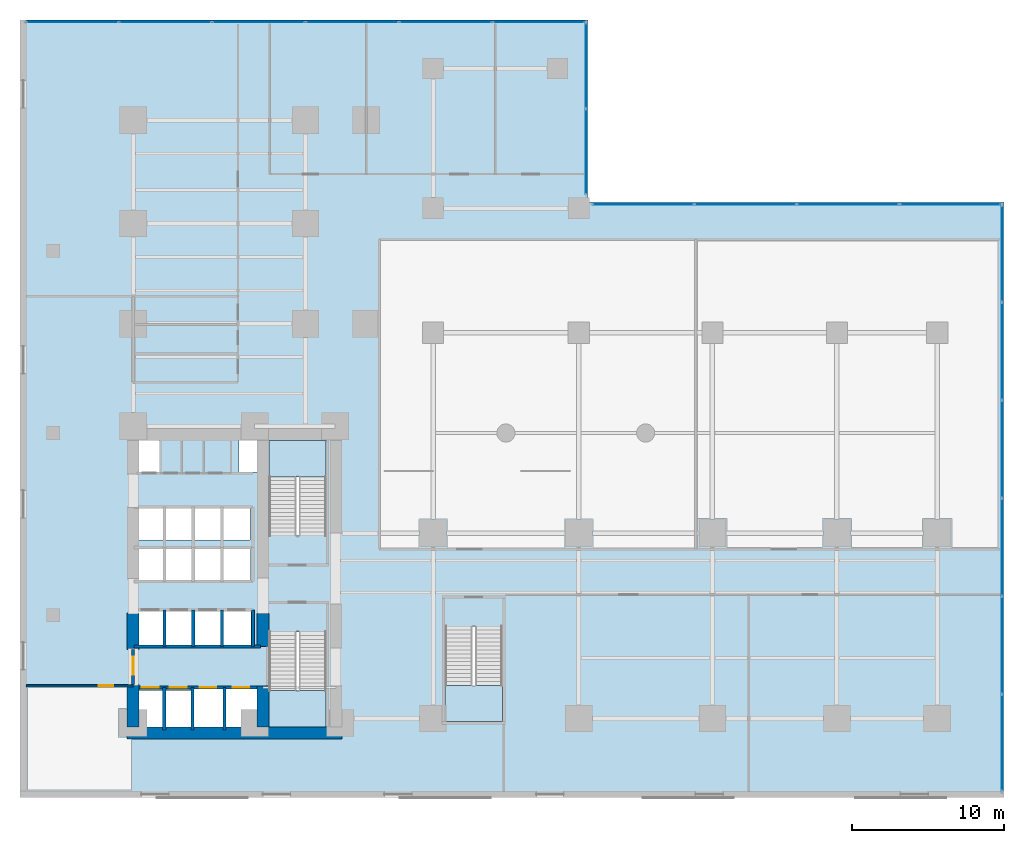
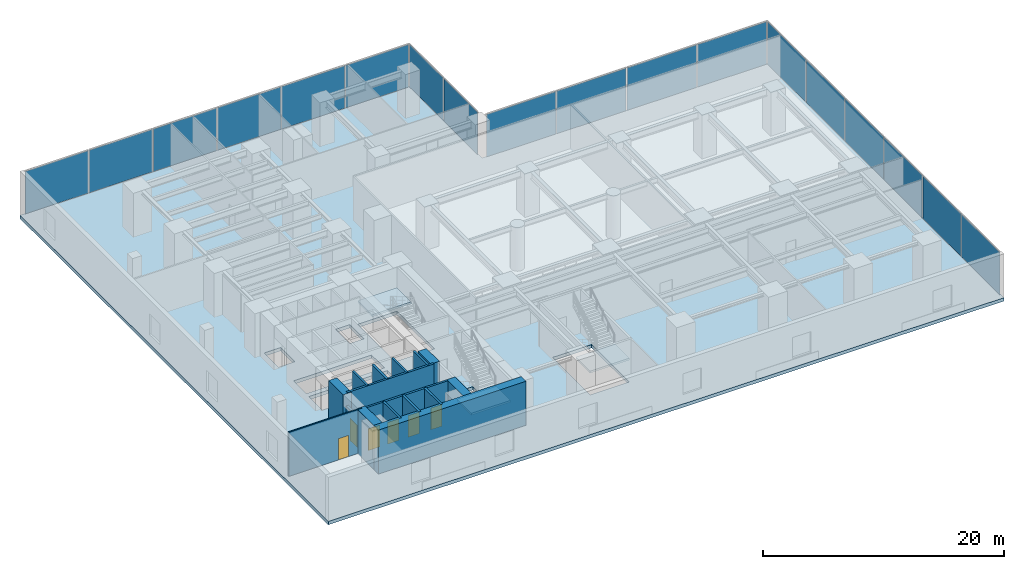
# One storey, part 11 of 16: 18 plates, 16 walls, 6 doors, 4 slabs, 6 openings, 7 elements without a shape of their own.
"""IFC4 building model written with IfcOpenShell, lengths in metres."""

import ifcopenshell
import ifcopenshell.guid

model = None  # the IFC model being written
_history = None  # IfcOwnerHistory: only IFC2X3 demands one
_inside = {}  # id of a spatial element -> (the spatial element, [elements in it])
_under = {}  # id of a project, library or spatial element -> (it, [spatial elements below it])
_declared = {}  # id of a project -> (the project, [libraries it declares])
_typed = {}  # id of a type object -> (the type object, [elements of that type])
_made_of = {}  # id of a material, layer set ... -> (it, [elements and type objects made of it])


def new_model(schema):
    """Start an empty IFC model of exactly this schema.

    Asked for "IFC4X3", IfcOpenShell would pick the latest addendum, in which some entities
    have other attributes; the version numbers below select the first issue.
    IFC2X3 requires an IfcOwnerHistory on every rooted entity: one is made here for all.
    """
    global model, _history
    if schema == "IFC4X3":
        model = ifcopenshell.file(schema_version=(4, 3, 0, 0))
    else:
        model = ifcopenshell.file(schema=schema)
    _inside.clear()
    _under.clear()
    _declared.clear()
    _typed.clear()
    _made_of.clear()
    _history = None
    if model.schema == "IFC2X3":
        org = make("IfcOrganization", Name="unknown")
        user = make(
            "IfcPersonAndOrganization",
            ThePerson=make("IfcPerson", FamilyName="unknown"),
            TheOrganization=org,
        )
        app = make(
            "IfcApplication",
            ApplicationDeveloper=org,
            Version="unknown",
            ApplicationFullName="unknown",
            ApplicationIdentifier="unknown",
        )
        _history = make(
            "IfcOwnerHistory",
            OwningUser=user,
            OwningApplication=app,
            ChangeAction="ADDED",
            CreationDate=0,
        )
    return model


def make(cls, **values):
    """One entity of the class cls with the attributes given. An attribute that is None is left unset."""
    return model.create_entity(
        cls, **{name: value for name, value in values.items() if value is not None}
    )


def rooted(cls, **values):
    """An entity with a GlobalId (a new one), such as an element, a storey or a relation."""
    return make(cls, GlobalId=ifcopenshell.guid.new(), OwnerHistory=_history, **values)


def si_unit(unit_type, name, prefix=None):
    """IfcSIUnit, for example si_unit("LENGTHUNIT", "METRE", prefix="MILLI")."""
    return make("IfcSIUnit", UnitType=unit_type, Prefix=prefix, Name=name)


def assignment(units):
    """IfcUnitAssignment: the units of a project."""
    return None if units is None else make("IfcUnitAssignment", Units=units)


def point(xyz):
    """IfcCartesianPoint."""
    return None if xyz is None else make("IfcCartesianPoint", Coordinates=xyz)


def direction(xyz):
    """IfcDirection."""
    return None if xyz is None else make("IfcDirection", DirectionRatios=xyz)


def frame(location, z_axis=None, x_axis=None):
    """IfcAxis2Placement3D, a coordinate frame: its origin and axes. An axis left out is left unset."""
    return make(
        "IfcAxis2Placement3D",
        Location=point(location),
        Axis=direction(z_axis),
        RefDirection=direction(x_axis),
    )


def frame_2d(location, x_axis=None):
    """IfcAxis2Placement2D, a coordinate frame in the plane: its origin and x axis."""
    return make(
        "IfcAxis2Placement2D", Location=point(location), RefDirection=direction(x_axis)
    )


def origin():
    """The frame at (0, 0, 0) with its axes left unset."""
    return frame((0.0, 0.0, 0.0))


def origin_with_axes():
    """The frame at (0, 0, 0) with the z axis (0, 0, 1) and the x axis (1, 0, 0) written out."""
    return frame((0.0, 0.0, 0.0), z_axis=(0.0, 0.0, 1.0), x_axis=(1.0, 0.0, 0.0))


def origin_2d():
    """The frame at (0, 0) in the plane with its x axis left unset."""
    return frame_2d((0.0, 0.0))


def place(relative_to, where):
    """IfcLocalPlacement: puts the frame where relative to a parent placement (None: the world)."""
    return make(
        "IfcLocalPlacement", PlacementRelTo=relative_to, RelativePlacement=where
    )


def context(
    kind, dimensions, precision=None, world=None, true_north=None, identifier=None
):
    """IfcGeometricRepresentationContext, for example the 3D "Model" context."""
    return make(
        "IfcGeometricRepresentationContext",
        ContextIdentifier=identifier,
        ContextType=kind,
        CoordinateSpaceDimension=dimensions,
        Precision=precision,
        WorldCoordinateSystem=world,
        TrueNorth=true_north,
    )


def subcontext(parent, identifier, kind, view, scale=None):
    """IfcGeometricRepresentationSubContext, for example "Body" below "Model"."""
    return make(
        "IfcGeometricRepresentationSubContext",
        ContextIdentifier=identifier,
        ContextType=kind,
        ParentContext=parent,
        TargetScale=scale,
        TargetView=view,
    )


def project(units=None, contexts=None):
    """IfcProject with its units and contexts."""
    return rooted(
        "IfcProject",
        Name="project",
        RepresentationContexts=contexts,
        UnitsInContext=assignment(units),
    )


def spatial(cls, under=None, at=None, **own):
    """A site, building, storey or space (cls), placed at a placement, below another one or the project."""
    s = rooted(cls, ObjectPlacement=at, **own)
    if under is not None:
        _under.setdefault(under.id(), (under, []))[1].append(s)
    return s


def polyline(points):
    """IfcPolyline through the points."""
    return make("IfcPolyline", Points=[point(p) for p in points])


def profile(cls, at=None, kind="AREA", **sizes):
    """A parametric profile (cls). Its sizes go by their IFC names, for example OverallWidth=200.0."""
    return make(cls, ProfileType=kind, Position=at, **sizes)


def rectangle(**sizes):
    """IfcRectangleProfileDef."""
    return profile("IfcRectangleProfileDef", **sizes)


def outline(outer, holes=None, kind="AREA"):
    """IfcArbitraryClosedProfileDef: a profile drawn as a closed curve; with holes, ...WithVoids."""
    if holes is None:
        return make("IfcArbitraryClosedProfileDef", ProfileType=kind, OuterCurve=outer)
    return make(
        "IfcArbitraryProfileDefWithVoids",
        ProfileType=kind,
        OuterCurve=outer,
        InnerCurves=holes,
    )


def extrude(swept, where, along, depth):
    """IfcExtrudedAreaSolid: the profile swept, set in the frame where, extruded along a direction by depth."""
    return make(
        "IfcExtrudedAreaSolid",
        SweptArea=swept,
        Position=where,
        ExtrudedDirection=direction(along),
        Depth=depth,
    )


def shape(context_of_items, identifier, shape_type, items):
    """IfcShapeRepresentation: the items that make up one representation, for example the "Body"."""
    return make(
        "IfcShapeRepresentation",
        ContextOfItems=context_of_items,
        RepresentationIdentifier=identifier,
        RepresentationType=shape_type,
        Items=items,
    )


def source(mapping_origin, context_of_items, identifier, shape_type, items):
    """IfcRepresentationMap: a shape defined once, which mapped items show again and again."""
    return make(
        "IfcRepresentationMap",
        MappingOrigin=mapping_origin,
        MappedRepresentation=shape(context_of_items, identifier, shape_type, items),
    )


def transform(
    local_origin,
    x_axis=None,
    y_axis=None,
    z_axis=None,
    scale=None,
    scale2=None,
    scale3=None,
    uniform=True,
):
    """IfcCartesianTransformationOperator3D, or its non-uniform kind. x_axis, y_axis, z_axis: its Axis1, 2, 3."""
    if uniform:
        return make(
            "IfcCartesianTransformationOperator3D",
            Axis1=direction(x_axis),
            Axis2=direction(y_axis),
            LocalOrigin=point(local_origin),
            Scale=scale,
            Axis3=direction(z_axis),
        )
    return make(
        "IfcCartesianTransformationOperator3DnonUniform",
        Axis1=direction(x_axis),
        Axis2=direction(y_axis),
        LocalOrigin=point(local_origin),
        Scale=scale,
        Axis3=direction(z_axis),
        Scale2=scale2,
        Scale3=scale3,
    )


def mapped(mapping_source, mapping_target):
    """IfcMappedItem: shows the shape of a source again, moved by a transform."""
    return make(
        "IfcMappedItem", MappingSource=mapping_source, MappingTarget=mapping_target
    )


def material(Name=None, Category=None):
    """IfcMaterial."""
    return make("IfcMaterial", Name=Name, Category=Category)


def layer(
    of_material, thickness, ventilated=None, Name=None, Category=None, Priority=None
):
    """IfcMaterialLayer: one layer of a wall or slab, of a material (None: an air gap)."""
    return make(
        "IfcMaterialLayer",
        Material=of_material,
        LayerThickness=thickness,
        IsVentilated=ventilated,
        Name=Name,
        Category=Category,
        Priority=Priority,
    )


def layer_set(layers, Name=None):
    """IfcMaterialLayerSet."""
    return make("IfcMaterialLayerSet", MaterialLayers=layers, LayerSetName=Name)


def made_of(thing, what):
    """Note that an element or type object is made of a material, layer set ...; save() writes the relation."""
    if what is not None:
        _made_of.setdefault(what.id(), (what, []))[1].append(thing)
    return thing


def type_object(cls, material=None, **own):
    """A type object (cls), such as IfcWallType, which elements share."""
    return made_of(rooted(cls, **own), material)


def element(
    cls,
    number,
    at=None,
    inside=None,
    cuts=None,
    type_object=None,
    material=None,
    context=None,
    identifier="Body",
    shape_type=None,
    held_by="IfcProductDefinitionShape",
    body=None,
    shapes=None,
    **own,
):
    """One element of the class cls, such as IfcWall. Its Tag is "e" and its number.

    at: its placement. inside: the storey or other place that contains it. cuts: it is an
    opening in that element (IfcRelVoidsElement). A single representation is given by context,
    identifier, shape_type and body (its items); several are given by shapes. held_by: the class
    of the entity that holds the representations. save() writes the other relations.
    """
    e = rooted(cls, Tag="e%d" % number, ObjectPlacement=at, **own)
    if body is not None:
        shapes = [shape(context, identifier, shape_type, body)]
    if shapes is not None:
        e.Representation = make(held_by, Representations=shapes)
    if inside is not None:
        _inside.setdefault(inside.id(), (inside, []))[1].append(e)
    if cuts is not None:
        rooted(
            "IfcRelVoidsElement", RelatingBuildingElement=cuts, RelatedOpeningElement=e
        )
    if type_object is not None:
        _typed.setdefault(type_object.id(), (type_object, []))[1].append(e)
    return made_of(e, material)


def fill(opening, filler):
    """IfcRelFillsElement: the door or window that sits in an opening."""
    return rooted(
        "IfcRelFillsElement",
        RelatingOpeningElement=opening,
        RelatedBuildingElement=filler,
    )


def aggregate(whole, parts):
    """IfcRelAggregates: a whole, such as a stair, and the parts it consists of."""
    return rooted("IfcRelAggregates", RelatingObject=whole, RelatedObjects=parts)


def save(model, path):
    """Write the relations noted so far, then the file.

    IfcRelAggregates (storeys below a building ...), IfcRelContainedInSpatialStructure (elements
    in a storey), IfcRelDefinesByType, IfcRelAssociatesMaterial and IfcRelDeclares: one each for
    every whole, place, type object, material and project.
    """
    for whole, parts in _under.values():
        aggregate(whole, parts)
    for where, things in _inside.values():
        rooted(
            "IfcRelContainedInSpatialStructure",
            RelatedElements=things,
            RelatingStructure=where,
        )
    for kind, things in _typed.values():
        rooted("IfcRelDefinesByType", RelatedObjects=things, RelatingType=kind)
    for what, things in _made_of.values():
        rooted("IfcRelAssociatesMaterial", RelatedObjects=things, RelatingMaterial=what)
    for by, libraries in _declared.values():
        rooted("IfcRelDeclares", RelatingContext=by, RelatedDefinitions=libraries)
    model.write(path)


model = new_model("IFC4")

# Units and contexts
model_context = context("Model", 3, precision=1e-05, world=origin(), true_north=direction((0.0, 1.0)))
body_context = subcontext(model_context, "Body", "Model", "MODEL_VIEW")
ifc_project = project(units=[si_unit("LENGTHUNIT", "METRE"), si_unit("AREAUNIT", "SQUARE_METRE"), si_unit("VOLUMEUNIT", "CUBIC_METRE"), si_unit("PLANEANGLEUNIT", "RADIAN"), si_unit("MASSUNIT", "GRAM", prefix="KILO")], contexts=[model_context])

# Site, building, storey
site_placement = place(None, origin())
site = spatial("IfcSite", under=ifc_project, at=site_placement, CompositionType="ELEMENT")
building_placement = place(site_placement, origin())
building = spatial("IfcBuilding", under=site, at=building_placement, Name="Kolvaren Waterfront Exchange", CompositionType="ELEMENT")
storey_placement = place(building_placement, frame((0.0, 0.0, 10.39990234375)))
storey = spatial("IfcBuildingStorey", under=building, at=storey_placement, Name="L03", CompositionType="ELEMENT", Elevation=10.39990234375)

# Stair, slab
ifc_material_1 = material(Name="Concrete C40/50", Category="concrete")
stair_type = type_object("IfcStairType", Name="ARC-STAIR-4800", PredefinedType="HALF_TURN_STAIR", material=ifc_material_1)
stair_1_placement = place(storey_placement, origin())
stair_1 = element("IfcStair", 1, at=stair_1_placement, inside=storey, type_object=stair_type, Name="L03 Smoke-proof exit stair ST1", PredefinedType="HALF_TURN_STAIR")
ifc_layer_1 = layer(ifc_material_1, 0.199951171875, Name="Concrete C40/50")
ifc_layer_set_1 = layer_set([ifc_layer_1], Name="Concrete C40/50")
slab_type_1 = type_object("IfcSlabType", Name="STR-LANDING-200", PredefinedType="LANDING", material=ifc_layer_set_1)
slab_1_placement = place(storey_placement, frame((0.0, 0.0, 2.2001953125)))
slab_1 = element("IfcSlab", 2, at=slab_1_placement, type_object=slab_type_1, Name="ST1 landing 1", PredefinedType="LANDING", context=body_context, shape_type="SweptSolid", body=[
    extrude(outline(polyline([(16.39990234375, 7.030029296875), (16.39990234375, 4.64990234375), (20.159912109375, 4.64990234375), (20.159912109375, 7.030029296875), (16.39990234375, 7.030029296875)])), origin(), (0.0, 0.0, 1.0), 0.199951171875),
])
aggregate(stair_1, [slab_1])

stair_2_placement = place(storey_placement, origin())
stair_2 = element("IfcStair", 3, at=stair_2_placement, inside=storey, type_object=stair_type, Name="L03 Smoke-proof exit stair ST2", PredefinedType="HALF_TURN_STAIR")
slab_2_placement = place(storey_placement, frame((0.0, 0.0, 2.2001953125)))
slab_2 = element("IfcSlab", 4, at=slab_2_placement, type_object=slab_type_1, Name="ST2 landing 1", PredefinedType="LANDING", context=body_context, shape_type="SweptSolid", body=[
    extrude(outline(polyline([(20.159912109375, 21.1201171875), (20.159912109375, 23.5), (16.39990234375, 23.5), (16.39990234375, 21.1201171875), (20.159912109375, 21.1201171875)])), origin(), (0.0, 0.0, 1.0), 0.199951171875),
])
aggregate(stair_2, [slab_2])

stair_3_placement = place(storey_placement, origin())
stair_3 = element("IfcStair", 5, at=stair_3_placement, inside=storey, type_object=stair_type, Name="L03 Exit stair ST3", PredefinedType="HALF_TURN_STAIR")
slab_3_placement = place(storey_placement, frame((0.0, 0.0, 2.2001953125)))
slab_3 = element("IfcSlab", 6, at=slab_3_placement, type_object=slab_type_1, Name="ST3 landing 1", PredefinedType="LANDING", context=body_context, shape_type="SweptSolid", body=[
    extrude(outline(polyline([(28.0, 7.3798828125), (28.0, 5.0), (31.760009765625, 5.0), (31.760009765625, 7.3798828125), (28.0, 7.3798828125)])), origin(), (0.0, 0.0, 1.0), 0.199951171875),
])
aggregate(stair_3, [slab_3])

# Slab
ifc_layer_2 = layer(ifc_material_1, 0.340087890625, Name="Concrete C40/50")
ifc_layer_set_2 = layer_set([ifc_layer_2], Name="Concrete C40/50")
slab_type_2 = type_object("IfcSlabType", Name="STR-SLAB-340", PredefinedType="FLOOR", material=ifc_layer_set_2)
slab_4_placement = place(storey_placement, frame((0.0, 0.0, -0.33984375)))
element("IfcSlab", 7, at=slab_4_placement, inside=storey, type_object=slab_type_2, Name="L03 structural floor slab", PredefinedType="FLOOR", context=body_context, shape_type="SweptSolid", body=[
    extrude(outline(polyline([(0.0, 0.0), (64.800048828125, 0.0), (64.800048828125, 39.199951171875), (37.39990234375, 39.199951171875), (37.39990234375, 51.199951171875), (0.0, 51.199951171875), (0.0, 0.0)]), holes=[polyline([(11.320068359375, 7.260009765625), (15.610107421875, 7.260009765625), (15.610107421875, 4.5400390625), (7.719970703125, 4.5400390625), (7.719970703125, 7.06005859375), (11.320068359375, 7.06005859375), (11.320068359375, 7.260009765625)]), polyline([(20.159912109375, 4.64990234375), (16.39990234375, 4.64990234375), (16.39990234375, 10.89990234375), (20.159912109375, 10.89990234375), (20.159912109375, 4.64990234375)]), polyline([(31.760009765625, 5.0), (28.0, 5.0), (28.0, 11.25), (31.760009765625, 11.25), (31.760009765625, 5.0)]), polyline([(15.2099609375, 10.0400390625), (7.6201171875, 10.0400390625), (7.6201171875, 12.360107421875), (15.2099609375, 12.360107421875), (15.2099609375, 10.0400390625)]), polyline([(7.64501953125, 16.4599609375), (15.18505859375, 16.4599609375), (15.18505859375, 14.239990234375), (7.64501953125, 14.239990234375), (7.64501953125, 16.4599609375)]), polyline([(15.159912109375, 16.93994140625), (7.669921875, 16.93994140625), (7.669921875, 19.06005859375), (15.159912109375, 19.06005859375), (15.159912109375, 16.93994140625)]), polyline([(16.39990234375, 23.5), (20.159912109375, 23.5), (20.159912109375, 17.25), (16.39990234375, 17.25), (16.39990234375, 23.5)]), polyline([(7.60009765625, 23.780029296875), (9.179931640625, 23.780029296875), (9.179931640625, 21.419921875), (7.60009765625, 21.419921875), (7.60009765625, 23.780029296875)]), polyline([(15.800048828125, 23.780029296875), (15.800048828125, 21.419921875), (14.419921875, 21.419921875), (14.419921875, 23.780029296875), (15.800048828125, 23.780029296875)])]), origin(), (0.0, 0.0, 1.0), 0.33984375),
])

# Curtain wall, plates
ifc_material_2 = material(Name="Anodised bronze aluminium 6063-T6", Category="aluminium")
ifc_layer_3 = layer(ifc_material_2, 0.219970703125, Name="Anodised bronze aluminium 6063-T6")
ifc_layer_set_3 = layer_set([ifc_layer_3], Name="Anodised bronze aluminium 6063-T6")
curtain_wall_type_1 = type_object("IfcCurtainWallType", Name="ARC-CW-SYS4", PredefinedType="USERDEFINED", material=ifc_layer_set_3)
curtain_wall_1_placement = place(storey_placement, origin())
curtain_wall_1 = element("IfcCurtainWall", 8, at=curtain_wall_1_placement, inside=storey, type_object=curtain_wall_type_1, Name="L03 stick curtain wall CW4 (CW-L03-E1)", ObjectType="STICK CURTAIN WALL", PredefinedType="USERDEFINED")
ifc_material_3 = material(Name="High-span laminated vision glass", Category="glass")
ifc_layer_4 = layer(ifc_material_3, 0.035888671875, Name="High-span laminated vision glass")
ifc_layer_set_4 = layer_set([ifc_layer_4], Name="High-span laminated vision glass")
plate_type_1 = type_object("IfcPlateType", Name="ARC-CWP-36", PredefinedType="CURTAIN_PANEL", material=ifc_layer_set_4)
shared_shape_1 = source(origin_with_axes(), body_context, "Body", "SweptSolid", [
    extrude(rectangle(XDim=6.331787109375, YDim=0.035888671875, at=origin_2d()), origin(), (0.0, 0.0, 1.0), 4.31005859375),
])
plate_1_placement = place(storey_placement, frame((64.659912109375, 3.595947265625, 0.074951171875), z_axis=(0.0, 0.0, 1.0), x_axis=(0.0, 1.0, 0.0)))
plate_1 = element("IfcPlate", 9, at=plate_1_placement, type_object=plate_type_1, Name="CW4 panel 1.1", PredefinedType="CURTAIN_PANEL", context=body_context, shape_type="MappedRepresentation", body=[
    mapped(shared_shape_1, transform((0.0, 0.0, 0.0), x_axis=(1.0, 0.0, 0.0), y_axis=(0.0, 1.0, 0.0), z_axis=(0.0, 0.0, 1.0), scale=1.0)),
])
plate_2_placement = place(storey_placement, frame((64.659912109375, 35.814208984375, 0.074951171875), z_axis=(0.0, 0.0, 1.0), x_axis=(0.0, 1.0, 0.0)))
plate_2 = element("IfcPlate", 10, at=plate_2_placement, type_object=plate_type_1, Name="CW4 panel 6.1", PredefinedType="CURTAIN_PANEL", context=body_context, shape_type="MappedRepresentation", body=[
    mapped(shared_shape_1, transform((0.0, 0.0, 0.0), x_axis=(1.0, 0.0, 0.0), y_axis=(0.0, 1.0, 0.0), z_axis=(0.0, 0.0, 1.0), scale=1.0)),
])
shared_shape_2 = source(origin_with_axes(), body_context, "Body", "SweptSolid", [
    extrude(rectangle(XDim=6.37158203125, YDim=0.035888671875, at=origin_2d()), origin(), (0.0, 0.0, 1.0), 4.31005859375),
])
plate_3_placement = place(storey_placement, frame((64.659912109375, 10.027587890625, 0.074951171875), z_axis=(0.0, 0.0, 1.0), x_axis=(0.0, 1.0, 0.0)))
plate_3 = element("IfcPlate", 11, at=plate_3_placement, type_object=plate_type_1, Name="CW4 panel 2.1", PredefinedType="CURTAIN_PANEL", context=body_context, shape_type="MappedRepresentation", body=[
    mapped(shared_shape_2, transform((0.0, 0.0, 0.0), x_axis=(1.0, 0.0, 0.0), y_axis=(0.0, 1.0, 0.0), z_axis=(0.0, 0.0, 1.0), scale=1.0)),
])
plate_4_placement = place(storey_placement, frame((64.659912109375, 16.479248046875, 0.074951171875), z_axis=(0.0, 0.0, 1.0), x_axis=(0.0, 1.0, 0.0)))
plate_4 = element("IfcPlate", 12, at=plate_4_placement, type_object=plate_type_1, Name="CW4 panel 3.1", PredefinedType="CURTAIN_PANEL", context=body_context, shape_type="MappedRepresentation", body=[
    mapped(shared_shape_2, transform((0.0, 0.0, 0.0), x_axis=(1.0, 0.0, 0.0), y_axis=(0.0, 1.0, 0.0), z_axis=(0.0, 0.0, 1.0), scale=1.0)),
])
plate_5_placement = place(storey_placement, frame((64.659912109375, 22.930908203125, 0.074951171875), z_axis=(0.0, 0.0, 1.0), x_axis=(0.0, 1.0, 0.0)))
plate_5 = element("IfcPlate", 13, at=plate_5_placement, type_object=plate_type_1, Name="CW4 panel 4.1", PredefinedType="CURTAIN_PANEL", context=body_context, shape_type="MappedRepresentation", body=[
    mapped(shared_shape_2, transform((0.0, 0.0, 0.0), x_axis=(1.0, 0.0, 0.0), y_axis=(0.0, 1.0, 0.0), z_axis=(0.0, 0.0, 1.0), scale=1.0)),
])
plate_6_placement = place(storey_placement, frame((64.659912109375, 29.382568359375, 0.074951171875), z_axis=(0.0, 0.0, 1.0), x_axis=(0.0, 1.0, 0.0)))
plate_6 = element("IfcPlate", 14, at=plate_6_placement, type_object=plate_type_1, Name="CW4 panel 5.1", PredefinedType="CURTAIN_PANEL", context=body_context, shape_type="MappedRepresentation", body=[
    mapped(shared_shape_2, transform((0.0, 0.0, 0.0), x_axis=(1.0, 0.0, 0.0), y_axis=(0.0, 1.0, 0.0), z_axis=(0.0, 0.0, 1.0), scale=1.0)),
])
aggregate(curtain_wall_1, [plate_1, plate_3, plate_4, plate_5, plate_6, plate_2])

curtain_wall_2_placement = place(storey_placement, origin())
curtain_wall_2 = element("IfcCurtainWall", 15, at=curtain_wall_2_placement, inside=storey, type_object=curtain_wall_type_1, Name="L03 stick curtain wall CW4 (CW-L03-E2)", ObjectType="STICK CURTAIN WALL", PredefinedType="USERDEFINED")
shared_shape_3 = source(origin_with_axes(), body_context, "Body", "SweptSolid", [
    extrude(rectangle(XDim=6.632568359375, YDim=0.035888671875, at=origin_2d()), origin(), (0.0, 0.0, 1.0), 4.31005859375),
])
plate_7_placement = place(storey_placement, frame((61.263671875, 39.06005859375, 0.074951171875), z_axis=(0.0, 0.0, 1.0), x_axis=(-1.0, 0.0, 0.0)))
plate_7 = element("IfcPlate", 16, at=plate_7_placement, type_object=plate_type_1, Name="CW4 panel 1.1", PredefinedType="CURTAIN_PANEL", context=body_context, shape_type="MappedRepresentation", body=[
    mapped(shared_shape_3, transform((0.0, 0.0, 0.0), x_axis=(1.0, 0.0, 0.0), y_axis=(0.0, 1.0, 0.0), z_axis=(0.0, 0.0, 1.0), scale=1.0)),
])
plate_8_placement = place(storey_placement, frame((41.046142578125, 39.06005859375, 0.074951171875), z_axis=(0.0, 0.0, 1.0), x_axis=(-1.0, 0.0, 0.0)))
plate_8 = element("IfcPlate", 17, at=plate_8_placement, type_object=plate_type_1, Name="CW4 panel 4.1", PredefinedType="CURTAIN_PANEL", context=body_context, shape_type="MappedRepresentation", body=[
    mapped(shared_shape_3, transform((0.0, 0.0, 0.0), x_axis=(1.0, 0.0, 0.0), y_axis=(0.0, 1.0, 0.0), z_axis=(0.0, 0.0, 1.0), scale=1.0)),
])
shared_shape_4 = source(origin_with_axes(), body_context, "Body", "SweptSolid", [
    extrude(rectangle(XDim=6.672607421875, YDim=0.035888671875, at=origin_2d()), origin(), (0.0, 0.0, 1.0), 4.31005859375),
])
plate_9_placement = place(storey_placement, frame((54.53125, 39.06005859375, 0.074951171875), z_axis=(0.0, 0.0, 1.0), x_axis=(-1.0, 0.0, 0.0)))
plate_9 = element("IfcPlate", 18, at=plate_9_placement, type_object=plate_type_1, Name="CW4 panel 2.1", PredefinedType="CURTAIN_PANEL", context=body_context, shape_type="MappedRepresentation", body=[
    mapped(shared_shape_4, transform((0.0, 0.0, 0.0), x_axis=(1.0, 0.0, 0.0), y_axis=(0.0, 1.0, 0.0), z_axis=(0.0, 0.0, 1.0), scale=1.0)),
])
plate_10_placement = place(storey_placement, frame((47.77880859375, 39.06005859375, 0.074951171875), z_axis=(0.0, 0.0, 1.0), x_axis=(-1.0, 0.0, 0.0)))
plate_10 = element("IfcPlate", 19, at=plate_10_placement, type_object=plate_type_1, Name="CW4 panel 3.1", PredefinedType="CURTAIN_PANEL", context=body_context, shape_type="MappedRepresentation", body=[
    mapped(shared_shape_4, transform((0.0, 0.0, 0.0), x_axis=(1.0, 0.0, 0.0), y_axis=(0.0, 1.0, 0.0), z_axis=(0.0, 0.0, 1.0), scale=1.0)),
])
aggregate(curtain_wall_2, [plate_7, plate_9, plate_10, plate_8])

curtain_wall_3_placement = place(storey_placement, origin())
curtain_wall_3 = element("IfcCurtainWall", 20, at=curtain_wall_3_placement, inside=storey, type_object=curtain_wall_type_1, Name="L03 stick curtain wall CW4 (CW-L03-N1)", ObjectType="STICK CURTAIN WALL", PredefinedType="USERDEFINED")
shared_shape_5 = source(origin_with_axes(), body_context, "Body", "SweptSolid", [
    extrude(rectangle(XDim=5.5849609375, YDim=0.035888671875, at=origin_2d()), origin(), (0.0, 0.0, 1.0), 4.31005859375),
])
plate_11_placement = place(storey_placement, frame((37.260009765625, 42.5224609375, 0.074951171875), z_axis=(0.0, 0.0, 1.0), x_axis=(0.0, 1.0, 0.0)))
plate_11 = element("IfcPlate", 21, at=plate_11_placement, type_object=plate_type_1, Name="CW4 panel 1.1", PredefinedType="CURTAIN_PANEL", context=body_context, shape_type="MappedRepresentation", body=[
    mapped(shared_shape_5, transform((0.0, 0.0, 0.0), x_axis=(1.0, 0.0, 0.0), y_axis=(0.0, 1.0, 0.0), z_axis=(0.0, 0.0, 1.0), scale=1.0)),
])
plate_12_placement = place(storey_placement, frame((37.260009765625, 48.1875, 0.074951171875), z_axis=(0.0, 0.0, 1.0), x_axis=(0.0, 1.0, 0.0)))
plate_12 = element("IfcPlate", 22, at=plate_12_placement, type_object=plate_type_1, Name="CW4 panel 2.1", PredefinedType="CURTAIN_PANEL", context=body_context, shape_type="MappedRepresentation", body=[
    mapped(shared_shape_5, transform((0.0, 0.0, 0.0), x_axis=(1.0, 0.0, 0.0), y_axis=(0.0, 1.0, 0.0), z_axis=(0.0, 0.0, 1.0), scale=1.0)),
])
aggregate(curtain_wall_3, [plate_11, plate_12])

ifc_layer_5 = layer(ifc_material_2, 0.219970703125, Name="Anodised bronze aluminium 6063-T6")
ifc_layer_set_5 = layer_set([ifc_layer_5], Name="Anodised bronze aluminium 6063-T6")
curtain_wall_type_2 = type_object("IfcCurtainWallType", Name="ARC-CW-SYS1", PredefinedType="USERDEFINED", material=ifc_layer_set_5)
curtain_wall_4_placement = place(storey_placement, origin())
curtain_wall_4 = element("IfcCurtainWall", 23, at=curtain_wall_4_placement, inside=storey, type_object=curtain_wall_type_2, Name="L03 stick curtain wall CW1 (CW-L03-N2)", ObjectType="STICK CURTAIN WALL", PredefinedType="USERDEFINED")
ifc_material_4 = material(Name="Bronze solar control vision glass", Category="aluminium")
ifc_layer_6 = layer(ifc_material_4, 0.028076171875, Name="Bronze solar control vision glass")
ifc_layer_set_6 = layer_set([ifc_layer_6], Name="Bronze solar control vision glass")
plate_type_2 = type_object("IfcPlateType", Name="ARC-CWP-28", PredefinedType="CURTAIN_PANEL", material=ifc_layer_set_6)
shared_shape_6 = source(origin_with_axes(), body_context, "Body", "SweptSolid", [
    extrude(rectangle(XDim=6.03173828125, YDim=0.028076171875, at=origin_2d()), origin(), (0.0, 0.0, 1.0), 4.31005859375),
])
plate_13_placement = place(storey_placement, frame((34.1640625, 51.06005859375, 0.074951171875), z_axis=(0.0, 0.0, 1.0), x_axis=(-1.0, 0.0, 0.0)))
plate_13 = element("IfcPlate", 24, at=plate_13_placement, type_object=plate_type_2, Name="CW1 panel 1.1", PredefinedType="CURTAIN_PANEL", context=body_context, shape_type="MappedRepresentation", body=[
    mapped(shared_shape_6, transform((0.0, 0.0, 0.0), x_axis=(1.0, 0.0, 0.0), y_axis=(0.0, 1.0, 0.0), z_axis=(0.0, 0.0, 1.0), scale=1.0)),
])
plate_14_placement = place(storey_placement, frame((3.44580078125, 51.06005859375, 0.074951171875), z_axis=(0.0, 0.0, 1.0), x_axis=(-1.0, 0.0, 0.0)))
plate_14 = element("IfcPlate", 25, at=plate_14_placement, type_object=plate_type_2, Name="CW1 panel 6.1", PredefinedType="CURTAIN_PANEL", context=body_context, shape_type="MappedRepresentation", body=[
    mapped(shared_shape_6, transform((0.0, 0.0, 0.0), x_axis=(1.0, 0.0, 0.0), y_axis=(0.0, 1.0, 0.0), z_axis=(0.0, 0.0, 1.0), scale=1.0)),
])
shared_shape_7 = source(origin_with_axes(), body_context, "Body", "SweptSolid", [
    extrude(rectangle(XDim=6.07177734375, YDim=0.028076171875, at=origin_2d()), origin(), (0.0, 0.0, 1.0), 4.31005859375),
])
plate_15_placement = place(storey_placement, frame((28.032470703125, 51.06005859375, 0.074951171875), z_axis=(0.0, 0.0, 1.0), x_axis=(-1.0, 0.0, 0.0)))
plate_15 = element("IfcPlate", 26, at=plate_15_placement, type_object=plate_type_2, Name="CW1 panel 2.1", PredefinedType="CURTAIN_PANEL", context=body_context, shape_type="MappedRepresentation", body=[
    mapped(shared_shape_7, transform((0.0, 0.0, 0.0), x_axis=(1.0, 0.0, 0.0), y_axis=(0.0, 1.0, 0.0), z_axis=(0.0, 0.0, 1.0), scale=1.0)),
])
plate_16_placement = place(storey_placement, frame((21.880859375, 51.06005859375, 0.074951171875), z_axis=(0.0, 0.0, 1.0), x_axis=(-1.0, 0.0, 0.0)))
plate_16 = element("IfcPlate", 27, at=plate_16_placement, type_object=plate_type_2, Name="CW1 panel 3.1", PredefinedType="CURTAIN_PANEL", context=body_context, shape_type="MappedRepresentation", body=[
    mapped(shared_shape_7, transform((0.0, 0.0, 0.0), x_axis=(1.0, 0.0, 0.0), y_axis=(0.0, 1.0, 0.0), z_axis=(0.0, 0.0, 1.0), scale=1.0)),
])
plate_17_placement = place(storey_placement, frame((15.729248046875, 51.06005859375, 0.074951171875), z_axis=(0.0, 0.0, 1.0), x_axis=(-1.0, 0.0, 0.0)))
plate_17 = element("IfcPlate", 28, at=plate_17_placement, type_object=plate_type_2, Name="CW1 panel 4.1", PredefinedType="CURTAIN_PANEL", context=body_context, shape_type="MappedRepresentation", body=[
    mapped(shared_shape_7, transform((0.0, 0.0, 0.0), x_axis=(1.0, 0.0, 0.0), y_axis=(0.0, 1.0, 0.0), z_axis=(0.0, 0.0, 1.0), scale=1.0)),
])
plate_18_placement = place(storey_placement, frame((9.577392578125, 51.06005859375, 0.074951171875), z_axis=(0.0, 0.0, 1.0), x_axis=(-1.0, 0.0, 0.0)))
plate_18 = element("IfcPlate", 29, at=plate_18_placement, type_object=plate_type_2, Name="CW1 panel 5.1", PredefinedType="CURTAIN_PANEL", context=body_context, shape_type="MappedRepresentation", body=[
    mapped(shared_shape_7, transform((0.0, 0.0, 0.0), x_axis=(1.0, 0.0, 0.0), y_axis=(0.0, 1.0, 0.0), z_axis=(0.0, 0.0, 1.0), scale=1.0)),
])
aggregate(curtain_wall_4, [plate_13, plate_15, plate_16, plate_17, plate_18, plate_14])

# Wall
ifc_material_5 = material(Name="Precast concrete C40/50", Category="concrete")
ifc_layer_7 = layer(ifc_material_5, 0.199951171875, Name="Precast concrete C40/50")
ifc_layer_set_7 = layer_set([ifc_layer_7], Name="Precast concrete C40/50")
wall_type_1 = type_object("IfcWallType", Name="ARC-FIRE-200", PredefinedType="PARTITIONING", material=ifc_layer_set_7)
wall_1_placement = place(storey_placement, frame((7.5, 9.949951171875, 0.0), z_axis=(0.0, 0.0, 1.0), x_axis=(1.0, 0.0, 0.0)))
element("IfcWall", 30, at=wall_1_placement, inside=storey, type_object=wall_type_1, Name="L03 interior wall PW-L03-FF-N", PredefinedType="PARTITIONING", context=body_context, shape_type="SweptSolid", body=[
    extrude(rectangle(XDim=8.35009765625, YDim=0.199951171875, at=frame_2d((4.175048828125, 0.0))), origin(), (0.0, 0.0, 1.0), 4.460205078125),
])

# Wall, opening, door
wall_2_placement = place(storey_placement, frame((7.449951171875, 7.449951171875, 0.0), z_axis=(0.0, 0.0, 1.0), x_axis=(0.0, 1.0, 0.0)))
wall_2 = element("IfcWall", 31, at=wall_2_placement, inside=storey, type_object=wall_type_1, Name="L03 interior wall PW-L03-FF-W-DOOR", PredefinedType="PARTITIONING", context=body_context, shape_type="SweptSolid", body=[
    extrude(rectangle(XDim=2.300048828125, YDim=0.199951171875, at=frame_2d((1.14990234375, 0.0))), origin(), (0.0, 0.0, 1.0), 3.239990234375),
])
opening_1_placement = place(wall_2_placement, frame((0.63330078125, 0.0, 0.0)))
opening_1 = element("IfcOpeningElement", 32, at=opening_1_placement, cuts=wall_2, Name="Opening FD3", PredefinedType="OPENING", context=body_context, shape_type="SweptSolid", body=[
    extrude(rectangle(XDim=1.199951171875, YDim=2.25, at=frame_2d((0.60009765625, 1.125))), frame((0.0, 0.10986328125, 0.0), z_axis=(0.0, -1.0, 0.0), x_axis=(1.0, 0.0, 0.0)), (0.0, 0.0, 1.0), 0.219970703125),
])
ifc_material_6 = material(Name="Pressed steel fire door", Category="steel")
door_type_1 = type_object("IfcDoorType", Name="ARC-FD-1200", OperationType="NOTDEFINED", PredefinedType="DOOR", material=ifc_material_6)
door_1_placement = place(opening_1_placement, frame((1.199951171875, 0.0, 0.0), z_axis=(0.0, 0.0, 1.0), x_axis=(-1.0, 0.0, 0.0)))
door_1 = element("IfcDoor", 33, at=door_1_placement, inside=storey, type_object=door_type_1, Name="L03 door DR-L03-FF-OUT (FD3)", OperationType="SINGLE_SWING_LEFT", OverallHeight=2.25, OverallWidth=1.199951171875, PredefinedType="DOOR", context=body_context, shape_type="SweptSolid", body=[
    extrude(rectangle(XDim=1.199951171875, YDim=2.25, at=frame_2d((0.60009765625, 1.125))), frame((0.0, 0.02490234375, 0.0), z_axis=(0.0, -1.0, 0.0), x_axis=(1.0, 0.0, 0.0)), (0.0, 0.0, 1.0), 0.050048828125),
])
fill(opening_1, door_1)

ifc_material_7 = material(Name="Acoustic gypsum steel stud", Category="steel")
ifc_layer_8 = layer(ifc_material_7, 0.125, Name="Acoustic gypsum steel stud")
ifc_layer_set_8 = layer_set([ifc_layer_8], Name="Acoustic gypsum steel stud")
wall_type_2 = type_object("IfcWallType", Name="ARC-PART-125", PredefinedType="PARTITIONING", material=ifc_layer_set_8)
wall_3_placement = place(storey_placement, frame((0.419921875, 7.35009765625, 0.0), z_axis=(0.0, 0.0, 1.0), x_axis=(1.0, 0.0, 0.0)))
wall_3 = element("IfcWall", 34, at=wall_3_placement, inside=storey, type_object=wall_type_2, Name="L03 interior wall PW-L03-POD-WS-N", PredefinedType="PARTITIONING", context=body_context, shape_type="SweptSolid", body=[
    extrude(rectangle(XDim=7.030029296875, YDim=0.125, at=frame_2d((3.51513671875, 0.0))), origin(), (0.0, 0.0, 1.0), 4.460205078125),
])
opening_2_placement = place(wall_3_placement, frame((4.780029296875, 0.0, 0.0)))
opening_2 = element("IfcOpeningElement", 35, at=opening_2_placement, cuts=wall_3, Name="Opening D02", PredefinedType="OPENING", context=body_context, shape_type="SweptSolid", body=[
    extrude(rectangle(XDim=0.949951171875, YDim=2.14990234375, at=frame_2d((0.47509765625, 1.074951171875))), frame((0.0, 0.072509765625, 0.0), z_axis=(0.0, -1.0, 0.0), x_axis=(1.0, 0.0, 0.0)), (0.0, 0.0, 1.0), 0.14501953125),
])
ifc_material_8 = material(Name="Oak veneer acoustic timber", Category="wood")
door_type_2 = type_object("IfcDoorType", Name="ARC-DR-950", OperationType="NOTDEFINED", PredefinedType="DOOR", material=ifc_material_8)
door_2_placement = place(opening_2_placement, origin())
door_2 = element("IfcDoor", 36, at=door_2_placement, inside=storey, type_object=door_type_2, Name="L03 door DR-L03-POD-WS-D (D02)", OperationType="SINGLE_SWING_LEFT", OverallHeight=2.14990234375, OverallWidth=0.949951171875, PredefinedType="DOOR", context=body_context, shape_type="SweptSolid", body=[
    extrude(rectangle(XDim=0.949951171875, YDim=2.14990234375, at=frame_2d((0.47509765625, 1.074951171875))), frame((0.0, 0.02490234375, 0.0), z_axis=(0.0, -1.0, 0.0), x_axis=(1.0, 0.0, 0.0)), (0.0, 0.0, 1.0), 0.050048828125),
])
fill(opening_2, door_2)

# Wall, openings, doors
ifc_layer_9 = layer(ifc_material_1, 0.199951171875, Name="Concrete C40/50")
ifc_layer_set_9 = layer_set([ifc_layer_9], Name="Concrete C40/50")
wall_type_3 = type_object("IfcWallType", Name="ARC-SHAFT-200", PredefinedType="PARTITIONING", material=ifc_layer_set_9)
wall_4_placement = place(storey_placement, frame((7.5, 7.25, 0.0), z_axis=(0.0, 0.0, 1.0), x_axis=(1.0, 0.0, 0.0)))
wall_4 = element("IfcWall", 37, at=wall_4_placement, inside=storey, type_object=wall_type_3, Name="L03 interior wall PW-L03-FF-S", PredefinedType="PARTITIONING", context=body_context, shape_type="SweptSolid", body=[
    extrude(rectangle(XDim=8.35009765625, YDim=0.199951171875, at=frame_2d((4.175048828125, 0.0))), origin(), (0.0, 0.0, 1.0), 4.460205078125),
])
opening_3_placement = place(wall_4_placement, frame((0.530029296875, 0.0, 0.0)))
opening_3 = element("IfcOpeningElement", 38, at=opening_3_placement, cuts=wall_4, Name="Opening LD1", PredefinedType="OPENING", context=body_context, shape_type="SweptSolid", body=[
    extrude(rectangle(XDim=1.10009765625, YDim=2.199951171875, at=frame_2d((0.550048828125, 1.10009765625))), frame((0.0, 0.10986328125, 0.0), z_axis=(0.0, -1.0, 0.0), x_axis=(1.0, 0.0, 0.0)), (0.0, 0.0, 1.0), 0.219970703125),
])
opening_4_placement = place(wall_4_placement, frame((2.3701171875, 0.0, 0.0)))
opening_4 = element("IfcOpeningElement", 39, at=opening_4_placement, cuts=wall_4, Name="Opening LD1", PredefinedType="OPENING", context=body_context, shape_type="SweptSolid", body=[
    extrude(rectangle(XDim=1.10009765625, YDim=2.199951171875, at=frame_2d((0.550048828125, 1.10009765625))), frame((0.0, 0.10986328125, 0.0), z_axis=(0.0, -1.0, 0.0), x_axis=(1.0, 0.0, 0.0)), (0.0, 0.0, 1.0), 0.219970703125),
])
opening_5_placement = place(wall_4_placement, frame((4.330078125, 0.0, 0.0)))
opening_5 = element("IfcOpeningElement", 40, at=opening_5_placement, cuts=wall_4, Name="Opening LD1", PredefinedType="OPENING", context=body_context, shape_type="SweptSolid", body=[
    extrude(rectangle(XDim=1.10009765625, YDim=2.199951171875, at=frame_2d((0.550048828125, 1.10009765625))), frame((0.0, 0.10986328125, 0.0), z_axis=(0.0, -1.0, 0.0), x_axis=(1.0, 0.0, 0.0)), (0.0, 0.0, 1.0), 0.219970703125),
])
opening_6_placement = place(wall_4_placement, frame((6.5, 0.0, 0.0)))
opening_6 = element("IfcOpeningElement", 41, at=opening_6_placement, cuts=wall_4, Name="Opening LD1", PredefinedType="OPENING", context=body_context, shape_type="SweptSolid", body=[
    extrude(rectangle(XDim=1.10009765625, YDim=2.199951171875, at=frame_2d((0.550048828125, 1.10009765625))), frame((0.0, 0.10986328125, 0.0), z_axis=(0.0, -1.0, 0.0), x_axis=(1.0, 0.0, 0.0)), (0.0, 0.0, 1.0), 0.219970703125),
])
ifc_material_9 = material(Name="Stainless steel sliding landing door", Category="steel")
door_type_3 = type_object("IfcDoorType", Name="ARC-LD-FF", OperationType="SLIDING_TO_LEFT", PredefinedType="DOOR", material=ifc_material_9)
door_3_placement = place(opening_3_placement, origin())
door_3 = element("IfcDoor", 42, at=door_3_placement, inside=storey, type_object=door_type_3, Name="L03 door LD-L03-FFL1 (LD1)", OperationType="SLIDING_TO_LEFT", OverallHeight=2.199951171875, OverallWidth=1.10009765625, PredefinedType="DOOR", context=body_context, shape_type="SweptSolid", body=[
    extrude(rectangle(XDim=1.10009765625, YDim=2.199951171875, at=frame_2d((0.550048828125, 1.10009765625))), frame((0.0, 0.02490234375, 0.0), z_axis=(0.0, -1.0, 0.0), x_axis=(1.0, 0.0, 0.0)), (0.0, 0.0, 1.0), 0.050048828125),
])
fill(opening_3, door_3)
door_4_placement = place(opening_4_placement, origin())
door_4 = element("IfcDoor", 43, at=door_4_placement, inside=storey, type_object=door_type_3, Name="L03 door LD-L03-FFL2 (LD1)", OperationType="SLIDING_TO_LEFT", OverallHeight=2.199951171875, OverallWidth=1.10009765625, PredefinedType="DOOR", context=body_context, shape_type="SweptSolid", body=[
    extrude(rectangle(XDim=1.10009765625, YDim=2.199951171875, at=frame_2d((0.550048828125, 1.10009765625))), frame((0.0, 0.02490234375, 0.0), z_axis=(0.0, -1.0, 0.0), x_axis=(1.0, 0.0, 0.0)), (0.0, 0.0, 1.0), 0.050048828125),
])
fill(opening_4, door_4)
door_5_placement = place(opening_5_placement, origin())
door_5 = element("IfcDoor", 44, at=door_5_placement, inside=storey, type_object=door_type_3, Name="L03 door LD-L03-GL1 (LD1)", OperationType="SLIDING_TO_LEFT", OverallHeight=2.199951171875, OverallWidth=1.10009765625, PredefinedType="DOOR", context=body_context, shape_type="SweptSolid", body=[
    extrude(rectangle(XDim=1.10009765625, YDim=2.199951171875, at=frame_2d((0.550048828125, 1.10009765625))), frame((0.0, 0.02490234375, 0.0), z_axis=(0.0, -1.0, 0.0), x_axis=(1.0, 0.0, 0.0)), (0.0, 0.0, 1.0), 0.050048828125),
])
fill(opening_5, door_5)
door_6_placement = place(opening_6_placement, origin())
door_6 = element("IfcDoor", 45, at=door_6_placement, inside=storey, type_object=door_type_3, Name="L03 door LD-L03-GL2 (LD1)", OperationType="SLIDING_TO_LEFT", OverallHeight=2.199951171875, OverallWidth=1.10009765625, PredefinedType="DOOR", context=body_context, shape_type="SweptSolid", body=[
    extrude(rectangle(XDim=1.10009765625, YDim=2.199951171875, at=frame_2d((0.550048828125, 1.10009765625))), frame((0.0, 0.02490234375, 0.0), z_axis=(0.0, -1.0, 0.0), x_axis=(1.0, 0.0, 0.0)), (0.0, 0.0, 1.0), 0.050048828125),
])
fill(opening_6, door_6)

# Walls
for number, where, z_axis, x_axis, name in (
    (46, (9.5, 4.449951171875, 0.0), (0.0, 0.0, 1.0), (0.0, 1.0, 0.0), "L03 interior wall PW-L03-SH1-DIV-95"),
    (47, (11.360107421875, 4.449951171875, 0.0), (0.0, 0.0, 1.0), (0.0, 1.0, 0.0), "L03 interior wall PW-L03-SH1-DIV-113"),
    (48, (13.4599609375, 4.449951171875, 0.0), (0.0, 0.0, 1.0), (0.0, 1.0, 0.0), "L03 interior wall PW-L03-SH1-DIV-134"),
):
    element("IfcWall", number, at=place(storey_placement, frame(where, z_axis=z_axis, x_axis=x_axis)), inside=storey, type_object=wall_type_3, Name=name, PredefinedType="PARTITIONING", context=body_context, shape_type="SweptSolid", body=[
        extrude(rectangle(XDim=2.800048828125, YDim=0.199951171875, at=frame_2d((1.39990234375, 0.0))), origin(), (0.0, 0.0, 1.0), 4.460205078125),
    ])
for number, where, z_axis, x_axis, name in (
    (49, (15.35009765625, 9.949951171875, 0.0), (0.0, 0.0, 1.0), (0.0, 1.0, 0.0), "L03 interior wall PW-L03-PL-E"),
    (50, (9.52001953125, 9.949951171875, 0.0), (0.0, 0.0, 1.0), (0.0, 1.0, 0.0), "L03 interior wall PW-L03-SH2-DIV-95"),
    (51, (11.409912109375, 9.949951171875, 0.0), (0.0, 0.0, 1.0), (0.0, 1.0, 0.0), "L03 interior wall PW-L03-SH2-DIV-114"),
    (52, (13.300048828125, 9.949951171875, 0.0), (0.0, 0.0, 1.0), (0.0, 1.0, 0.0), "L03 interior wall PW-L03-SH2-DIV-133"),
):
    element("IfcWall", number, at=place(storey_placement, frame(where, z_axis=z_axis, x_axis=x_axis)), inside=storey, type_object=wall_type_3, Name=name, PredefinedType="PARTITIONING", context=body_context, shape_type="SweptSolid", body=[
        extrude(rectangle(XDim=2.41015625, YDim=0.199951171875, at=frame_2d((1.205078125, 0.0))), origin(), (0.0, 0.0, 1.0), 4.460205078125),
    ])
ifc_material_10 = material(Name="Concrete C70/85", Category="concrete")
ifc_layer_10 = layer(ifc_material_10, 0.800048828125, Name="Concrete C70/85")
ifc_layer_set_10 = layer_set([ifc_layer_10], Name="Concrete C70/85")
wall_type_4 = type_object("IfcWallType", Name="STR-CWALL-800", PredefinedType="SHEAR", material=ifc_layer_set_10)
wall_5_placement = place(storey_placement, frame((7.050048828125, 4.25, 0.0), z_axis=(0.0, 0.0, 1.0), x_axis=(1.0, 0.0, 0.0)))
element("IfcWall", 53, at=wall_5_placement, inside=storey, type_object=wall_type_4, Name="L03 rear-core shear wall S", PredefinedType="SHEAR", context=body_context, shape_type="SweptSolid", body=[
    extrude(rectangle(XDim=14.14990234375, YDim=0.800048828125, at=frame_2d((7.074951171875, 0.0))), origin(), (0.0, 0.0, 1.0), 4.460205078125),
])
wall_6_placement = place(storey_placement, frame((7.449951171875, 4.64990234375, 0.0), z_axis=(0.0, 0.0, 1.0), x_axis=(0.0, 1.0, 0.0)))
element("IfcWall", 54, at=wall_6_placement, inside=storey, type_object=wall_type_4, Name="L03 rear-core shear wall W1", PredefinedType="SHEAR", context=body_context, shape_type="SweptSolid", body=[
    extrude(rectangle(XDim=2.800048828125, YDim=0.800048828125, at=frame_2d((1.39990234375, 0.0))), origin(), (0.0, 0.0, 1.0), 4.460205078125),
])
wall_7_placement = place(storey_placement, frame((7.449951171875, 9.75, 0.0), z_axis=(0.0, 0.0, 1.0), x_axis=(0.0, 1.0, 0.0)))
element("IfcWall", 55, at=wall_7_placement, inside=storey, type_object=wall_type_4, Name="L03 rear-core shear wall W2A", PredefinedType="SHEAR", context=body_context, shape_type="SweptSolid", body=[
    extrude(rectangle(XDim=2.39990234375, YDim=0.800048828125, at=frame_2d((1.199951171875, 0.0))), origin(), (0.0, 0.0, 1.0), 4.460205078125),
])
wall_8_placement = place(storey_placement, frame((16.0, 4.64990234375, 0.0), z_axis=(0.0, 0.0, 1.0), x_axis=(0.0, 1.0, 0.0)))
element("IfcWall", 56, at=wall_8_placement, inside=storey, type_object=wall_type_4, Name="L03 rear-core shear wall M1", PredefinedType="SHEAR", context=body_context, shape_type="SweptSolid", body=[
    extrude(rectangle(XDim=2.7001953125, YDim=0.800048828125, at=frame_2d((1.35009765625, 0.0))), origin(), (0.0, 0.0, 1.0), 4.460205078125),
])
wall_9_placement = place(storey_placement, frame((16.0, 9.949951171875, 0.0), z_axis=(0.0, 0.0, 1.0), x_axis=(0.0, 1.0, 0.0)))
element("IfcWall", 57, at=wall_9_placement, inside=storey, type_object=wall_type_4, Name="L03 rear-core shear wall M2", PredefinedType="SHEAR", context=body_context, shape_type="SweptSolid", body=[
    extrude(rectangle(XDim=2.150146484375, YDim=0.800048828125, at=frame_2d((1.0751953125, 0.0))), origin(), (0.0, 0.0, 1.0), 4.460205078125),
])

save(model, "model.ifc")
